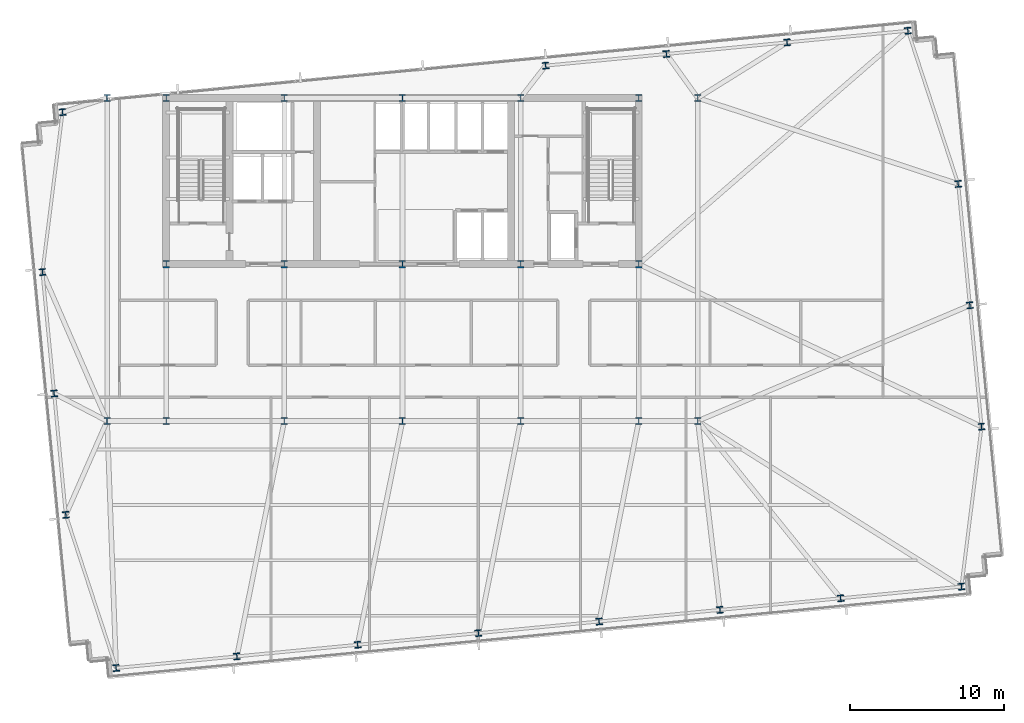
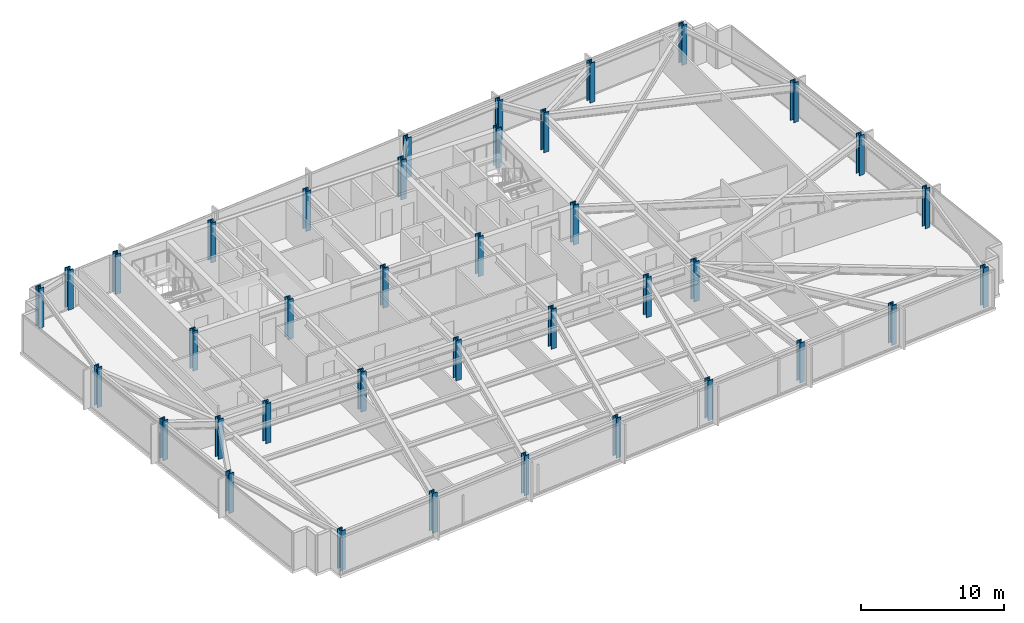
# One storey, part 1 of 33: 38 columns.
"""IFC4 building model written with IfcOpenShell, lengths in metres."""

from ifc_helpers import new_model, si_unit, direction, frame, origin, origin_2d, place, context, subcontext, project, spatial, i_section, extrude, material, material_profile, profile_set, type_object, element, save


model = new_model("IFC4")

# Units and contexts
model_context = context("Model", 3, precision=1e-05, world=origin(), true_north=direction((0.0, 1.0)))
body_context = subcontext(model_context, "Body", "Model", "MODEL_VIEW")
ifc_project = project(units=[si_unit("LENGTHUNIT", "METRE"), si_unit("AREAUNIT", "SQUARE_METRE"), si_unit("VOLUMEUNIT", "CUBIC_METRE"), si_unit("PLANEANGLEUNIT", "RADIAN"), si_unit("MASSUNIT", "GRAM", prefix="KILO")], contexts=[model_context])

# Site, building, storey
site_placement = place(None, origin())
site = spatial("IfcSite", under=ifc_project, at=site_placement, CompositionType="ELEMENT")
building_placement = place(site_placement, origin())
building = spatial("IfcBuilding", under=site, at=building_placement, Name="Yelkora Congress Tower", CompositionType="ELEMENT")
storey_placement = place(building_placement, frame((0.0, 0.0, 106.699951171875)))
storey = spatial("IfcBuildingStorey", under=building, at=storey_placement, Name="L28", CompositionType="ELEMENT", Elevation=106.699951171875)

# Columns
ifc_material = material(Name="Steel S460M", Category="steel")
ifc_material_profile_1 = material_profile(ifc_material, i_section(OverallWidth=0.412109375, OverallDepth=0.43505859375, WebThickness=0.035888671875, FlangeThickness=0.05810546875, FilletRadius=0.014892578125, at=origin_2d()), Name="HD 400x463")
ifc_profile_set_1 = profile_set([ifc_material_profile_1], Name="Steel S460M")
column_type_1 = type_object("IfcColumnType", Name="COL-HD-463-EXT", PredefinedType="COLUMN", material=ifc_profile_set_1)
for number, where, z_axis, x_axis, name in (
    (1, (19.785888671875, 9.144287109375, 0.0), (0.0, 0.0, 1.0), (0.995396198367, 0.09584575252, 0.0), "L28 Perimeter Column S01"),
    (2, (27.635498046875, 9.900146484375, 0.0), (0.0, 0.0, 1.0), (0.995396198367, 0.09584575252, 0.0), "L28 Perimeter Column S02"),
    (3, (35.48486328125, 10.656005859375, 0.0), (0.0, 0.0, 1.0), (0.995396198367, 0.09584575252, 0.0), "L28 Perimeter Column S03"),
    (4, (43.334228515625, 11.411865234375, 0.0), (0.0, 0.0, 1.0), (0.995396198367, 0.09584575252, 0.0), "L28 Perimeter Column S04"),
    (5, (51.18359375, 12.16748046875, 0.0), (0.0, 0.0, 1.0), (0.995396198367, 0.09584575252, 0.0), "L28 Perimeter Column S05"),
    (6, (59.033203125, 12.92333984375, 0.0), (0.0, 0.0, 1.0), (0.995396198367, 0.09584575252, 0.0), "L28 Perimeter Column S06"),
    (7, (66.882568359375, 13.67919921875, 0.0), (0.0, 0.0, 1.0), (0.995396198367, 0.09584575252, 0.0), "L28 Perimeter Column S07"),
    (8, (74.73193359375, 14.43505859375, 0.0), (0.0, 0.0, 1.0), (0.995396198367, 0.09584575252, 0.0), "L28 Perimeter Column S08"),
    (9, (16.306884765625, 45.27734375, 0.0), (0.0, 0.0, 1.0), (0.995396198367, 0.09584575252, 0.0), "L28 Perimeter Column N01"),
    (10, (47.70458984375, 48.300537109375, 0.0), (0.0, 0.0, 1.0), (0.995396198367, 0.09584575252, 0.0), "L28 Perimeter Column N05"),
    (11, (55.553955078125, 49.056396484375, 0.0), (0.0, 0.0, 1.0), (0.995396198367, 0.09584575252, 0.0), "L28 Perimeter Column N06"),
    (12, (63.4033203125, 49.81201171875, 0.0), (0.0, 0.0, 1.0), (0.995396198367, 0.09584575252, 0.0), "L28 Perimeter Column N07"),
    (13, (71.252685546875, 50.568115234375, 0.0), (0.0, 0.0, 1.0), (0.995396198367, 0.09584575252, 0.0), "L28 Perimeter Column N08"),
    (14, (16.5166015625, 19.101806640625, 0.0), (0.0, 0.0, 1.0), (0.995396198367, 0.09584575252, 0.0), "L28 Perimeter Column W01"),
    (15, (76.041259765625, 24.83349609375, 0.0), (0.0, 0.0, 1.0), (0.995396198367, 0.09584575252, 0.0), "L28 Perimeter Column E01"),
    (16, (15.757080078125, 26.990478515625, 0.0), (0.0, 0.0, 1.0), (0.995396198367, 0.09584575252, 0.0), "L28 Perimeter Column W02"),
    (17, (75.28173828125, 32.721923828125, 0.0), (0.0, 0.0, 1.0), (0.995396198367, 0.09584575252, 0.0), "L28 Perimeter Column E02"),
    (18, (14.997314453125, 34.87890625, 0.0), (0.0, 0.0, 1.0), (0.995396198367, 0.09584575252, 0.0), "L28 Perimeter Column W03"),
    (19, (74.522216796875, 40.610595703125, 0.0), (0.0, 0.0, 1.0), (0.995396198367, 0.09584575252, 0.0), "L28 Perimeter Column E03"),
):
    element("IfcColumn", number, at=place(storey_placement, frame(where, z_axis=z_axis, x_axis=x_axis)), inside=storey, type_object=column_type_1, Name=name, PredefinedType="COLUMN", context=body_context, shape_type="SweptSolid", body=[
        extrude(i_section(OverallWidth=0.412109375, OverallDepth=0.43505859375, WebThickness=0.035888671875, FlangeThickness=0.05810546875, FilletRadius=0.014892578125, at=origin_2d()), origin(), (0.0, 0.0, 1.0), 3.400146484375),
    ])
ifc_material_profile_2 = material_profile(ifc_material, i_section(OverallWidth=0.424072265625, OverallDepth=0.47412109375, WebThickness=0.047119140625, FlangeThickness=0.076904296875, FilletRadius=0.014892578125, at=origin_2d()), Name="HD 400x634")
ifc_profile_set_2 = profile_set([ifc_material_profile_2], Name="Steel S460M")
column_type_2 = type_object("IfcColumnType", Name="COL-HD-634", PredefinedType="COLUMN", material=ifc_profile_set_2)
for number, where, z_axis, x_axis, name in (
    (20, (23.0400390625, 35.39990234375, 0.0), (0.0, 0.0, 1.0), (1.0, 0.0, 0.0), "L28 Mega Column MC-S1"),
    (21, (23.0400390625, 46.199951171875, 0.0), (0.0, 0.0, 1.0), (1.0, 0.0, 0.0), "L28 Mega Column MC-N1"),
    (22, (23.0400390625, 25.199951171875, 0.0), (0.0, 0.0, 1.0), (1.0, 0.0, 0.0), "L28 Mega Column MC-D1"),
    (23, (30.719970703125, 35.39990234375, 0.0), (0.0, 0.0, 1.0), (1.0, 0.0, 0.0), "L28 Mega Column MC-S2"),
    (24, (30.719970703125, 46.199951171875, 0.0), (0.0, 0.0, 1.0), (1.0, 0.0, 0.0), "L28 Mega Column MC-N2"),
    (25, (30.719970703125, 25.199951171875, 0.0), (0.0, 0.0, 1.0), (1.0, 0.0, 0.0), "L28 Mega Column MC-D2"),
    (26, (38.39990234375, 35.39990234375, 0.0), (0.0, 0.0, 1.0), (1.0, 0.0, 0.0), "L28 Mega Column MC-S3"),
    (27, (38.39990234375, 46.199951171875, 0.0), (0.0, 0.0, 1.0), (1.0, 0.0, 0.0), "L28 Mega Column MC-N3"),
    (28, (38.39990234375, 25.199951171875, 0.0), (0.0, 0.0, 1.0), (1.0, 0.0, 0.0), "L28 Mega Column MC-D3"),
    (29, (46.080078125, 35.39990234375, 0.0), (0.0, 0.0, 1.0), (1.0, 0.0, 0.0), "L28 Mega Column MC-S4"),
    (30, (46.080078125, 46.199951171875, 0.0), (0.0, 0.0, 1.0), (1.0, 0.0, 0.0), "L28 Mega Column MC-N4"),
    (31, (46.080078125, 25.199951171875, 0.0), (0.0, 0.0, 1.0), (1.0, 0.0, 0.0), "L28 Mega Column MC-D4"),
    (32, (53.760009765625, 35.39990234375, 0.0), (0.0, 0.0, 1.0), (1.0, 0.0, 0.0), "L28 Mega Column MC-S5"),
    (33, (53.760009765625, 46.199951171875, 0.0), (0.0, 0.0, 1.0), (1.0, 0.0, 0.0), "L28 Mega Column MC-N5"),
    (34, (53.760009765625, 25.199951171875, 0.0), (0.0, 0.0, 1.0), (1.0, 0.0, 0.0), "L28 Mega Column MC-D5"),
    (35, (19.199951171875, 25.199951171875, 0.0), (0.0, 0.0, 1.0), (1.0, 0.0, 0.0), "L28 Mega Column MC-F1"),
    (36, (57.60009765625, 25.199951171875, 0.0), (0.0, 0.0, 1.0), (1.0, 0.0, 0.0), "L28 Mega Column MC-F2"),
    (37, (19.199951171875, 46.199951171875, 0.0), (0.0, 0.0, 1.0), (1.0, 0.0, 0.0), "L28 Mega Column MC-F3"),
    (38, (57.60009765625, 46.199951171875, 0.0), (0.0, 0.0, 1.0), (1.0, 0.0, 0.0), "L28 Mega Column MC-F4"),
):
    element("IfcColumn", number, at=place(storey_placement, frame(where, z_axis=z_axis, x_axis=x_axis)), inside=storey, type_object=column_type_2, Name=name, PredefinedType="COLUMN", context=body_context, shape_type="SweptSolid", body=[
        extrude(i_section(OverallWidth=0.424072265625, OverallDepth=0.47412109375, WebThickness=0.047119140625, FlangeThickness=0.076904296875, FilletRadius=0.014892578125, at=origin_2d()), origin(), (0.0, 0.0, 1.0), 3.400146484375),
    ])

save(model, "model.ifc")
